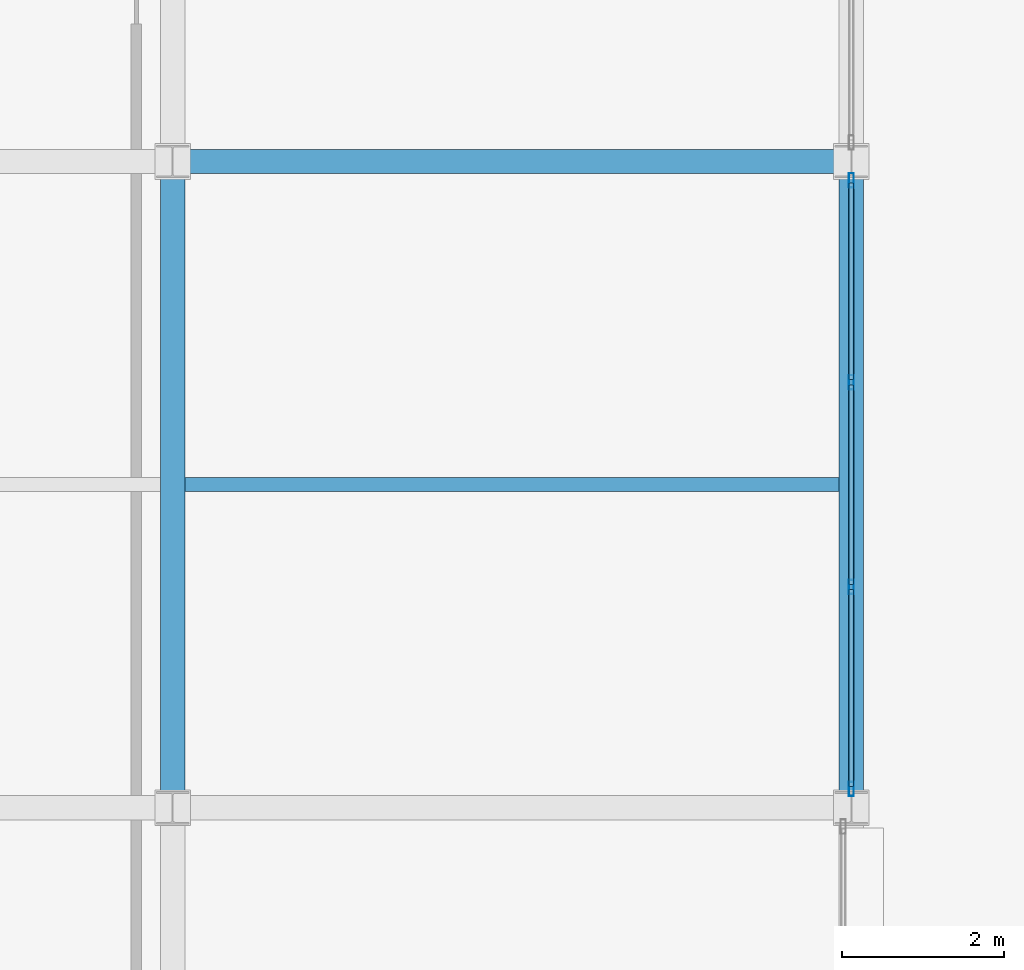
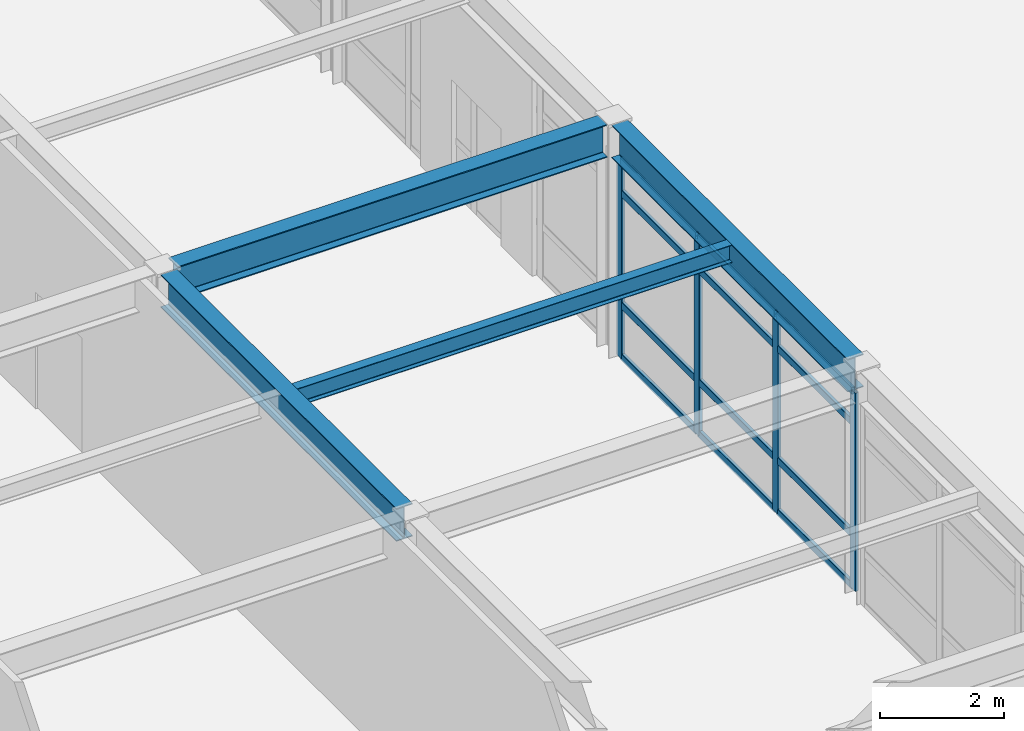
# One storey, part 8 of 61: 16 members, 4 beams, 1 element without a shape of its own.
"""IFC4 building model written with IfcOpenShell, lengths in metres."""

from ifc_helpers import new_model, si_unit, direction, frame, origin, origin_2d, place, context, subcontext, project, spatial, hollow_rectangle, i_section, extrude, material, layer, layer_set, material_profile, profile_set, type_object, element, aggregate, save


model = new_model("IFC4")

# Units and contexts
model_context = context("Model", 3, precision=1e-05, world=origin(), true_north=direction((0.0, 1.0)))
body_context = subcontext(model_context, "Body", "Model", "MODEL_VIEW")
ifc_project = project(units=[si_unit("LENGTHUNIT", "METRE"), si_unit("AREAUNIT", "SQUARE_METRE"), si_unit("VOLUMEUNIT", "CUBIC_METRE"), si_unit("PLANEANGLEUNIT", "RADIAN"), si_unit("MASSUNIT", "GRAM", prefix="KILO")], contexts=[model_context])

# Site, building, storey
site_placement = place(None, origin())
site = spatial("IfcSite", under=ifc_project, at=site_placement, CompositionType="ELEMENT")
building_placement = place(site_placement, origin())
building = spatial("IfcBuilding", under=site, at=building_placement, Name="Kazehara Bluff Congress Hotel", CompositionType="ELEMENT")
storey_placement = place(building_placement, frame((0.0, 0.0, 19.800048828125)))
storey = spatial("IfcBuildingStorey", under=building, at=storey_placement, Name="L04", CompositionType="ELEMENT", Elevation=19.800048828125)

# Curtain wall, members
ifc_material_1 = material(Name="Anodised aluminium", Category="aluminium")
ifc_layer = layer(ifc_material_1, 0.159912109375)
ifc_layer_set = layer_set([ifc_layer], Name="Anodised aluminium")
curtain_wall_type = type_object("IfcCurtainWallType", Name="TP-CW-63", PredefinedType="NOTDEFINED", material=ifc_layer_set)
curtain_wall_placement = place(storey_placement, origin())
curtain_wall = element("IfcCurtainWall", 1, at=curtain_wall_placement, inside=storey, type_object=curtain_wall_type, Name="L04 curtain wall CW-63 CW-V4-L04-X8445-2420", PredefinedType="NOTDEFINED")
ifc_material_2 = material(Name="Anodised aluminium", Category="aluminium")
ifc_material_profile_1 = material_profile(ifc_material_2, hollow_rectangle(XDim=0.06494140625, YDim=0.179931640625, WallThickness=0.00390625, InnerFilletRadius=0.00390625, OuterFilletRadius=0.008056640625, at=origin_2d()))
ifc_profile_set_1 = profile_set([ifc_material_profile_1], Name="Anodised aluminium")
member_type_1 = type_object("IfcMemberType", Name="TP-CWM-02", PredefinedType="MULLION", material=ifc_profile_set_1)
member_1_placement = place(storey_placement, frame((84.449951171875, 24.232421875, 0.0), z_axis=(0.0, 0.0, 1.0), x_axis=(-1.0, 0.0, 0.0)))
member_1 = element("IfcMember", 2, at=member_1_placement, type_object=member_type_1, Name="CW-63 mullion 1", PredefinedType="MULLION", context=body_context, shape_type="SweptSolid", body=[
    extrude(hollow_rectangle(XDim=0.06494140625, YDim=0.179931640625, WallThickness=0.00390625, InnerFilletRadius=0.00390625, OuterFilletRadius=0.008056640625, at=origin_2d()), origin(), (0.0, 0.0, 1.0), 3.905029296875),
])
member_2_placement = place(storey_placement, frame((84.449951171875, 26.7333984375, 0.0), z_axis=(0.0, 0.0, 1.0), x_axis=(-1.0, 0.0, 0.0)))
member_2 = element("IfcMember", 3, at=member_2_placement, type_object=member_type_1, Name="CW-63 mullion 2", PredefinedType="MULLION", context=body_context, shape_type="SweptSolid", body=[
    extrude(hollow_rectangle(XDim=0.06494140625, YDim=0.179931640625, WallThickness=0.00390625, InnerFilletRadius=0.00390625, OuterFilletRadius=0.008056640625, at=origin_2d()), origin(), (0.0, 0.0, 1.0), 3.905029296875),
])
member_3_placement = place(storey_placement, frame((84.449951171875, 29.2666015625, 0.0), z_axis=(0.0, 0.0, 1.0), x_axis=(-1.0, 0.0, 0.0)))
member_3 = element("IfcMember", 4, at=member_3_placement, type_object=member_type_1, Name="CW-63 mullion 3", PredefinedType="MULLION", context=body_context, shape_type="SweptSolid", body=[
    extrude(hollow_rectangle(XDim=0.06494140625, YDim=0.179931640625, WallThickness=0.00390625, InnerFilletRadius=0.00390625, OuterFilletRadius=0.008056640625, at=origin_2d()), origin(), (0.0, 0.0, 1.0), 3.905029296875),
])
member_4_placement = place(storey_placement, frame((84.449951171875, 31.767578125, 0.0), z_axis=(0.0, 0.0, 1.0), x_axis=(-1.0, 0.0, 0.0)))
member_4 = element("IfcMember", 5, at=member_4_placement, type_object=member_type_1, Name="CW-63 mullion 4", PredefinedType="MULLION", context=body_context, shape_type="SweptSolid", body=[
    extrude(hollow_rectangle(XDim=0.06494140625, YDim=0.179931640625, WallThickness=0.00390625, InnerFilletRadius=0.00390625, OuterFilletRadius=0.008056640625, at=origin_2d()), origin(), (0.0, 0.0, 1.0), 3.905029296875),
])
ifc_material_3 = material(Name="Anodised aluminium", Category="aluminium")
ifc_material_profile_2 = material_profile(ifc_material_3, hollow_rectangle(XDim=0.06494140625, YDim=0.139892578125, WallThickness=0.00390625, InnerFilletRadius=0.00390625, OuterFilletRadius=0.008056640625, at=origin_2d()))
ifc_profile_set_2 = profile_set([ifc_material_profile_2], Name="Anodised aluminium")
member_type_2 = type_object("IfcMemberType", Name="TP-CWT-02", PredefinedType="USERDEFINED", material=ifc_profile_set_2)
member_5_placement = place(storey_placement, frame((84.449951171875, 24.264892578125, 0.032470703125), z_axis=(0.0, 1.0, 0.0), x_axis=(-1.0, 0.0, 0.0)))
member_5 = element("IfcMember", 6, at=member_5_placement, type_object=member_type_2, Name="CW-63 transom 1.1", ObjectType="TRANSOM", PredefinedType="USERDEFINED", context=body_context, shape_type="SweptSolid", body=[
    extrude(hollow_rectangle(XDim=0.06494140625, YDim=0.139892578125, WallThickness=0.00390625, InnerFilletRadius=0.00390625, OuterFilletRadius=0.008056640625, at=origin_2d()), origin(), (0.0, 0.0, 1.0), 2.43603515625),
])
member_6_placement = place(storey_placement, frame((84.449951171875, 24.264892578125, 1.050048828125), z_axis=(0.0, 1.0, 0.0), x_axis=(-1.0, 0.0, 0.0)))
member_6 = element("IfcMember", 7, at=member_6_placement, type_object=member_type_2, Name="CW-63 transom 1.2", ObjectType="TRANSOM", PredefinedType="USERDEFINED", context=body_context, shape_type="SweptSolid", body=[
    extrude(hollow_rectangle(XDim=0.06494140625, YDim=0.139892578125, WallThickness=0.00390625, InnerFilletRadius=0.00390625, OuterFilletRadius=0.008056640625, at=origin_2d()), origin(), (0.0, 0.0, 1.0), 2.43603515625),
])
member_7_placement = place(storey_placement, frame((84.449951171875, 24.264892578125, 3.2548828125), z_axis=(0.0, 1.0, 0.0), x_axis=(-1.0, 0.0, 0.0)))
member_7 = element("IfcMember", 8, at=member_7_placement, type_object=member_type_2, Name="CW-63 transom 1.3", ObjectType="TRANSOM", PredefinedType="USERDEFINED", context=body_context, shape_type="SweptSolid", body=[
    extrude(hollow_rectangle(XDim=0.06494140625, YDim=0.139892578125, WallThickness=0.00390625, InnerFilletRadius=0.00390625, OuterFilletRadius=0.008056640625, at=origin_2d()), origin(), (0.0, 0.0, 1.0), 2.43603515625),
])
member_8_placement = place(storey_placement, frame((84.449951171875, 24.264892578125, 3.87255859375), z_axis=(0.0, 1.0, 0.0), x_axis=(-1.0, 0.0, 0.0)))
member_8 = element("IfcMember", 9, at=member_8_placement, type_object=member_type_2, Name="CW-63 transom 1.4", ObjectType="TRANSOM", PredefinedType="USERDEFINED", context=body_context, shape_type="SweptSolid", body=[
    extrude(hollow_rectangle(XDim=0.06494140625, YDim=0.139892578125, WallThickness=0.00390625, InnerFilletRadius=0.00390625, OuterFilletRadius=0.008056640625, at=origin_2d()), origin(), (0.0, 0.0, 1.0), 2.43603515625),
])
member_9_placement = place(storey_placement, frame((84.449951171875, 26.765869140625, 0.032470703125), z_axis=(0.0, 1.0, 0.0), x_axis=(-1.0, 0.0, 0.0)))
member_9 = element("IfcMember", 10, at=member_9_placement, type_object=member_type_2, Name="CW-63 transom 2.1", ObjectType="TRANSOM", PredefinedType="USERDEFINED", context=body_context, shape_type="SweptSolid", body=[
    extrude(hollow_rectangle(XDim=0.06494140625, YDim=0.139892578125, WallThickness=0.00390625, InnerFilletRadius=0.00390625, OuterFilletRadius=0.008056640625, at=origin_2d()), origin(), (0.0, 0.0, 1.0), 2.46826171875),
])
member_10_placement = place(storey_placement, frame((84.449951171875, 26.765869140625, 1.050048828125), z_axis=(0.0, 1.0, 0.0), x_axis=(-1.0, 0.0, 0.0)))
member_10 = element("IfcMember", 11, at=member_10_placement, type_object=member_type_2, Name="CW-63 transom 2.2", ObjectType="TRANSOM", PredefinedType="USERDEFINED", context=body_context, shape_type="SweptSolid", body=[
    extrude(hollow_rectangle(XDim=0.06494140625, YDim=0.139892578125, WallThickness=0.00390625, InnerFilletRadius=0.00390625, OuterFilletRadius=0.008056640625, at=origin_2d()), origin(), (0.0, 0.0, 1.0), 2.46826171875),
])
member_11_placement = place(storey_placement, frame((84.449951171875, 26.765869140625, 3.2548828125), z_axis=(0.0, 1.0, 0.0), x_axis=(-1.0, 0.0, 0.0)))
member_11 = element("IfcMember", 12, at=member_11_placement, type_object=member_type_2, Name="CW-63 transom 2.3", ObjectType="TRANSOM", PredefinedType="USERDEFINED", context=body_context, shape_type="SweptSolid", body=[
    extrude(hollow_rectangle(XDim=0.06494140625, YDim=0.139892578125, WallThickness=0.00390625, InnerFilletRadius=0.00390625, OuterFilletRadius=0.008056640625, at=origin_2d()), origin(), (0.0, 0.0, 1.0), 2.46826171875),
])
member_12_placement = place(storey_placement, frame((84.449951171875, 26.765869140625, 3.87255859375), z_axis=(0.0, 1.0, 0.0), x_axis=(-1.0, 0.0, 0.0)))
member_12 = element("IfcMember", 13, at=member_12_placement, type_object=member_type_2, Name="CW-63 transom 2.4", ObjectType="TRANSOM", PredefinedType="USERDEFINED", context=body_context, shape_type="SweptSolid", body=[
    extrude(hollow_rectangle(XDim=0.06494140625, YDim=0.139892578125, WallThickness=0.00390625, InnerFilletRadius=0.00390625, OuterFilletRadius=0.008056640625, at=origin_2d()), origin(), (0.0, 0.0, 1.0), 2.46826171875),
])
member_13_placement = place(storey_placement, frame((84.449951171875, 29.299072265625, 0.032470703125), z_axis=(0.0, 1.0, 0.0), x_axis=(-1.0, 0.0, 0.0)))
member_13 = element("IfcMember", 14, at=member_13_placement, type_object=member_type_2, Name="CW-63 transom 3.1", ObjectType="TRANSOM", PredefinedType="USERDEFINED", context=body_context, shape_type="SweptSolid", body=[
    extrude(hollow_rectangle(XDim=0.06494140625, YDim=0.139892578125, WallThickness=0.00390625, InnerFilletRadius=0.00390625, OuterFilletRadius=0.008056640625, at=origin_2d()), origin(), (0.0, 0.0, 1.0), 2.43603515625),
])
member_14_placement = place(storey_placement, frame((84.449951171875, 29.299072265625, 1.050048828125), z_axis=(0.0, 1.0, 0.0), x_axis=(-1.0, 0.0, 0.0)))
member_14 = element("IfcMember", 15, at=member_14_placement, type_object=member_type_2, Name="CW-63 transom 3.2", ObjectType="TRANSOM", PredefinedType="USERDEFINED", context=body_context, shape_type="SweptSolid", body=[
    extrude(hollow_rectangle(XDim=0.06494140625, YDim=0.139892578125, WallThickness=0.00390625, InnerFilletRadius=0.00390625, OuterFilletRadius=0.008056640625, at=origin_2d()), origin(), (0.0, 0.0, 1.0), 2.43603515625),
])
member_15_placement = place(storey_placement, frame((84.449951171875, 29.299072265625, 3.2548828125), z_axis=(0.0, 1.0, 0.0), x_axis=(-1.0, 0.0, 0.0)))
member_15 = element("IfcMember", 16, at=member_15_placement, type_object=member_type_2, Name="CW-63 transom 3.3", ObjectType="TRANSOM", PredefinedType="USERDEFINED", context=body_context, shape_type="SweptSolid", body=[
    extrude(hollow_rectangle(XDim=0.06494140625, YDim=0.139892578125, WallThickness=0.00390625, InnerFilletRadius=0.00390625, OuterFilletRadius=0.008056640625, at=origin_2d()), origin(), (0.0, 0.0, 1.0), 2.43603515625),
])
member_16_placement = place(storey_placement, frame((84.449951171875, 29.299072265625, 3.87255859375), z_axis=(0.0, 1.0, 0.0), x_axis=(-1.0, 0.0, 0.0)))
member_16 = element("IfcMember", 17, at=member_16_placement, type_object=member_type_2, Name="CW-63 transom 3.4", ObjectType="TRANSOM", PredefinedType="USERDEFINED", context=body_context, shape_type="SweptSolid", body=[
    extrude(hollow_rectangle(XDim=0.06494140625, YDim=0.139892578125, WallThickness=0.00390625, InnerFilletRadius=0.00390625, OuterFilletRadius=0.008056640625, at=origin_2d()), origin(), (0.0, 0.0, 1.0), 2.43603515625),
])
aggregate(curtain_wall, [member_1, member_2, member_3, member_4, member_5, member_6, member_7, member_8, member_9, member_10, member_11, member_12, member_13, member_14, member_15, member_16])

# Beams
ifc_material_4 = material(Name="Steel SN490B", Category="steel")
ifc_material_profile_3 = material_profile(ifc_material_4, i_section(OverallWidth=0.300048828125, OverallDepth=0.64990234375, WebThickness=0.011962890625, FlangeThickness=0.02001953125, FilletRadius=0.012939453125, at=origin_2d()))
ifc_profile_set_3 = profile_set([ifc_material_profile_3], Name="Steel SN490B")
beam_type_1 = type_object("IfcBeamType", Name="TP-G-03", PredefinedType="BEAM", material=ifc_profile_set_3)
for number, where, z_axis, x_axis, name in (
    (18, (76.050048828125, 24.199951171875, 4.2548828125), (0.0, 1.0, 0.0), (-1.0, 0.0, 0.0), "L04 girder G-03 10"),
    (19, (84.449951171875, 24.199951171875, 4.2548828125), (0.0, 1.0, 0.0), (-1.0, 0.0, 0.0), "L04 girder G-03 14"),
):
    element("IfcBeam", number, at=place(storey_placement, frame(where, z_axis=z_axis, x_axis=x_axis)), inside=storey, type_object=beam_type_1, Name=name, PredefinedType="BEAM", context=body_context, shape_type="SweptSolid", body=[
        extrude(i_section(OverallWidth=0.300048828125, OverallDepth=0.64990234375, WebThickness=0.011962890625, FlangeThickness=0.02001953125, FilletRadius=0.012939453125, at=origin_2d()), origin(), (0.0, 0.0, 1.0), 7.60009765625),
    ])
beam_1_placement = place(storey_placement, frame((76.25, 32.0, 4.2548828125), z_axis=(1.0, 0.0, 0.0), x_axis=(0.0, 1.0, 0.0)))
element("IfcBeam", 20, at=beam_1_placement, inside=storey, type_object=beam_type_1, Name="L04 girder G-03 23", PredefinedType="BEAM", context=body_context, shape_type="SweptSolid", body=[
    extrude(i_section(OverallWidth=0.300048828125, OverallDepth=0.64990234375, WebThickness=0.011962890625, FlangeThickness=0.02001953125, FilletRadius=0.012939453125, at=origin_2d()), origin(), (0.0, 0.0, 1.0), 8.0),
])
ifc_material_5 = material(Name="Steel SN400B", Category="steel")
ifc_material_profile_4 = material_profile(ifc_material_5, i_section(OverallWidth=0.175048828125, OverallDepth=0.35009765625, WebThickness=0.007080078125, FlangeThickness=0.010986328125, FilletRadius=0.012939453125, at=origin_2d()))
ifc_profile_set_4 = profile_set([ifc_material_profile_4], Name="Steel SN400B")
beam_type_2 = type_object("IfcBeamType", Name="TP-J-02", PredefinedType="JOIST", material=ifc_profile_set_4)
beam_2_placement = place(storey_placement, frame((76.199951171875, 28.0, 4.405029296875), z_axis=(1.0, 0.0, 0.0), x_axis=(0.0, 1.0, 0.0)))
element("IfcBeam", 21, at=beam_2_placement, inside=storey, type_object=beam_type_2, Name="L04 secondary joist J-02 8", PredefinedType="JOIST", context=body_context, shape_type="SweptSolid", body=[
    extrude(i_section(OverallWidth=0.175048828125, OverallDepth=0.35009765625, WebThickness=0.007080078125, FlangeThickness=0.010986328125, FilletRadius=0.012939453125, at=origin_2d()), origin(), (0.0, 0.0, 1.0), 8.10009765625),
])

save(model, "model.ifc")
